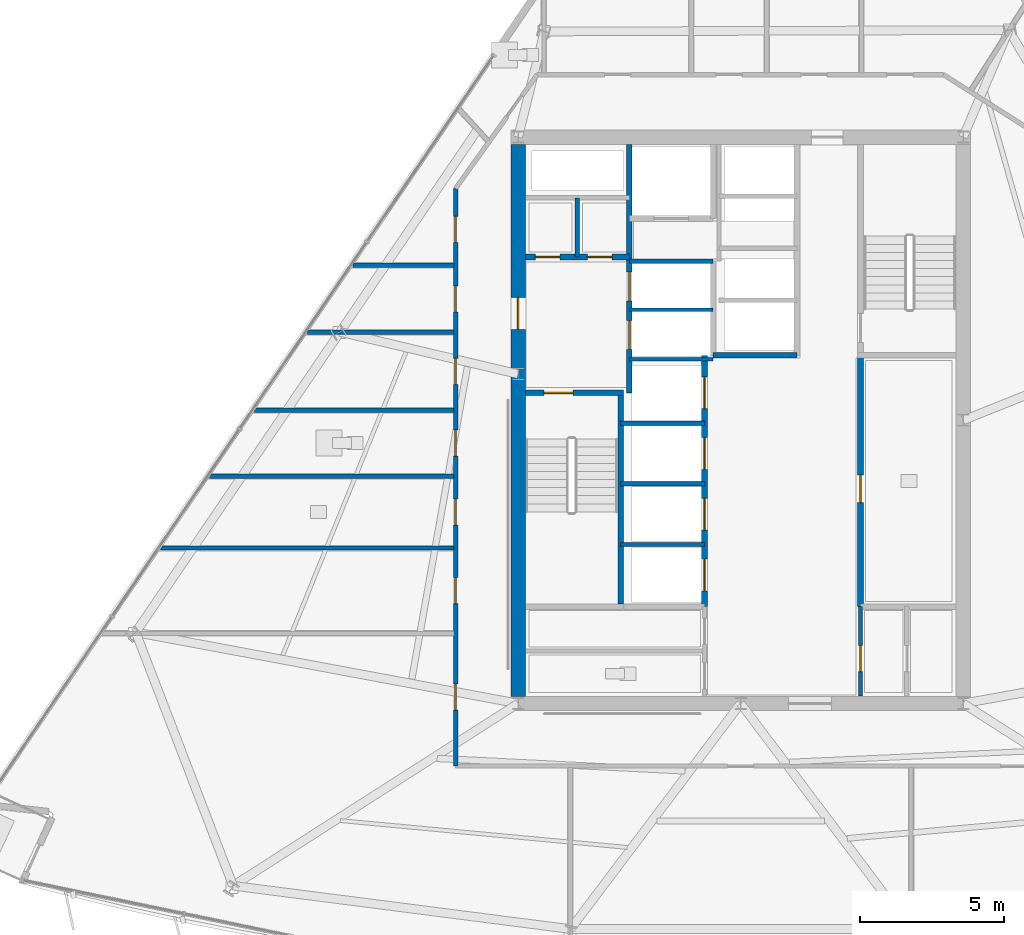
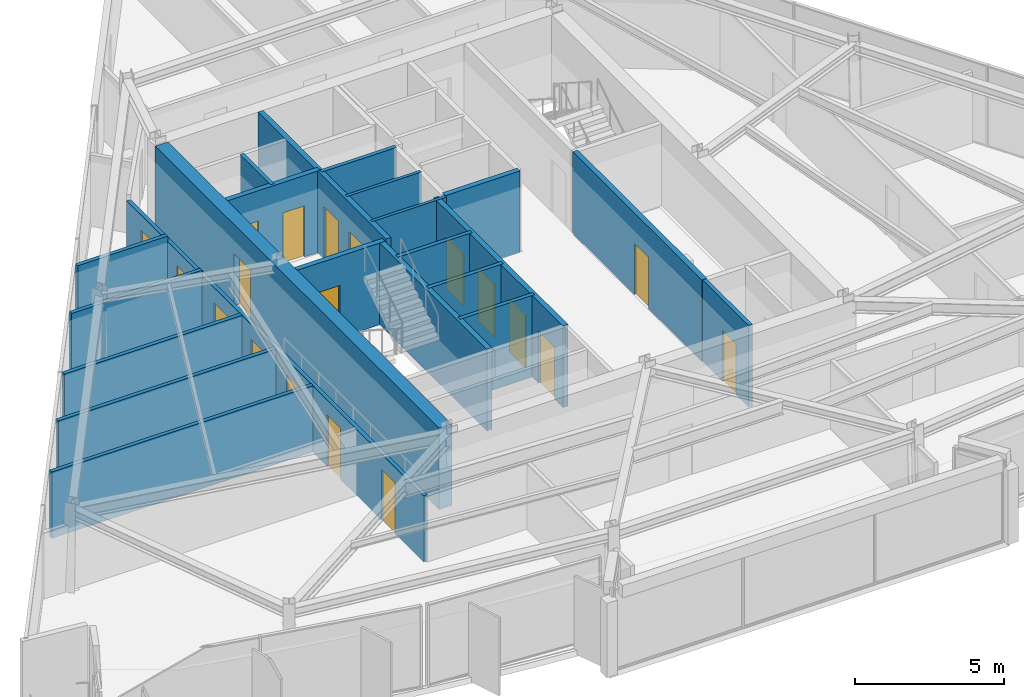
# One storey, part 8 of 15: 22 walls, 19 doors, 19 openings.
"""IFC4 building model written with IfcOpenShell, lengths in metres."""

from ifc_helpers import new_model, si_unit, direction, frame, frame_2d, origin, place, context, subcontext, project, spatial, rectangle, extrude, material, layer, layer_set, type_object, element, fill, save


model = new_model("IFC4")

# Units and contexts
model_context = context("Model", 3, precision=1e-05, world=origin(), true_north=direction((0.0, 1.0)))
body_context = subcontext(model_context, "Body", "Model", "MODEL_VIEW")
ifc_project = project(units=[si_unit("LENGTHUNIT", "METRE"), si_unit("AREAUNIT", "SQUARE_METRE"), si_unit("VOLUMEUNIT", "CUBIC_METRE"), si_unit("PLANEANGLEUNIT", "RADIAN"), si_unit("MASSUNIT", "GRAM", prefix="KILO")], contexts=[model_context])

# Site, building, storey
site_placement = place(None, origin())
site = spatial("IfcSite", under=ifc_project, at=site_placement, CompositionType="ELEMENT")
building_placement = place(site_placement, origin())
building = spatial("IfcBuilding", under=site, at=building_placement, Name="Savorim Split Tower", CompositionType="ELEMENT")
storey_placement = place(building_placement, frame((0.0, 0.0, 163.800048828125)))
storey = spatial("IfcBuildingStorey", under=building, at=storey_placement, Name="L43", CompositionType="ELEMENT", Elevation=163.800048828125)

# Wall, opening, door
ifc_material_1 = material(Name="Concrete C60/75", Category="concrete")
ifc_layer_1 = layer(ifc_material_1, 0.5)
ifc_layer_set_1 = layer_set([ifc_layer_1], Name="WAL-COR-SH500")
wall_type_1 = type_object("IfcWallType", Name="WAL-COR-SH500", PredefinedType="SHEAR", material=ifc_layer_set_1)
wall_1_placement = place(storey_placement, frame((-7.699951171875, -9.14990234375, 0.0), z_axis=(0.0, 0.0, 1.0), x_axis=(0.0, 1.0, 0.0)))
wall_1 = element("IfcWall", 1, at=wall_1_placement, inside=storey, type_object=wall_type_1, Name="L43 Offset Core West Shear Wall", PredefinedType="SHEAR", context=body_context, shape_type="SweptSolid", body=[
    extrude(rectangle(XDim=19.099853515625, YDim=0.5, at=frame_2d((9.5498046875, 0.0))), origin(), (0.0, 0.0, 1.0), 3.349853515625),
])
opening_1_placement = place(wall_1_placement, frame((12.699951171875, 0.0, 0.0)))
opening_1 = element("IfcOpeningElement", 2, at=opening_1_placement, cuts=wall_1, Name="Opening DI-03", PredefinedType="OPENING", context=body_context, shape_type="SweptSolid", body=[
    extrude(rectangle(XDim=1.10009765625, YDim=2.14990234375, at=frame_2d((0.550048828125, 1.074951171875))), frame((0.0, 0.260009765625, 0.0), z_axis=(0.0, -1.0, 0.0), x_axis=(1.0, 0.0, 0.0)), (0.0, 0.0, 1.0), 0.52001953125),
])
ifc_material_2 = material(Name="Timber Fire Door Leaf", Category="wood")
door_type_1 = type_object("IfcDoorType", Name="DOR-FIR-1100", OperationType="NOTDEFINED", PredefinedType="DOOR", material=ifc_material_2)
door_1_placement = place(opening_1_placement, origin())
door_1 = element("IfcDoor", 3, at=door_1_placement, inside=storey, type_object=door_type_1, Name="DOR-L43-COR-FFLOB - L43 Firefighting Lobby Corridor Door", OperationType="SINGLE_SWING_LEFT", OverallHeight=2.14990234375, OverallWidth=1.10009765625, PredefinedType="DOOR", context=body_context, shape_type="SweptSolid", body=[
    extrude(rectangle(XDim=1.10009765625, YDim=2.14990234375, at=frame_2d((0.550048828125, 1.074951171875))), frame((0.0, 0.02490234375, 0.0), z_axis=(0.0, -1.0, 0.0), x_axis=(1.0, 0.0, 0.0)), (0.0, 0.0, 1.0), 0.050048828125),
])
fill(opening_1, door_1)

ifc_material_3 = material(Name="Concrete C50/60", Category="concrete")
ifc_layer_2 = layer(ifc_material_3, 0.199951171875)
ifc_layer_set_2 = layer_set([ifc_layer_2], Name="WAL-INT-RC200")
wall_type_2 = type_object("IfcWallType", Name="WAL-INT-RC200", PredefinedType="SOLIDWALL", material=ifc_layer_set_2)
wall_2_placement = place(storey_placement, frame((-7.449951171875, 1.35009765625, 0.0), z_axis=(0.0, 0.0, 1.0), x_axis=(1.0, 0.0, 0.0)))
wall_2 = element("IfcWall", 4, at=wall_2_placement, inside=storey, type_object=wall_type_2, Name="L43 Structural Shaft Wall W-L43-CR01", PredefinedType="SOLIDWALL", context=body_context, shape_type="SweptSolid", body=[
    extrude(rectangle(XDim=3.39990234375, YDim=0.199951171875, at=frame_2d((1.699951171875, 0.0))), origin(), (0.0, 0.0, 1.0), 3.349853515625),
])
opening_2_placement = place(wall_2_placement, frame((0.64990234375, 0.0, 0.0)))
opening_2 = element("IfcOpeningElement", 5, at=opening_2_placement, cuts=wall_2, Name="Opening DI-04", PredefinedType="OPENING", context=body_context, shape_type="SweptSolid", body=[
    extrude(rectangle(XDim=1.0, YDim=2.14990234375, at=frame_2d((0.5, 1.074951171875))), frame((0.0, 0.10986328125, 0.0), z_axis=(0.0, -1.0, 0.0), x_axis=(1.0, 0.0, 0.0)), (0.0, 0.0, 1.0), 0.219970703125),
])
door_type_2 = type_object("IfcDoorType", Name="DOR-FIR-1000", OperationType="NOTDEFINED", PredefinedType="DOOR", material=ifc_material_2)
door_2_placement = place(opening_2_placement, origin())
door_2 = element("IfcDoor", 6, at=door_2_placement, inside=storey, type_object=door_type_2, Name="DR-L43-ST1 - L43 Stair ST-1 Enclosure Door", OperationType="SINGLE_SWING_LEFT", OverallHeight=2.14990234375, OverallWidth=1.0, PredefinedType="DOOR", context=body_context, shape_type="SweptSolid", body=[
    extrude(rectangle(XDim=1.0, YDim=2.14990234375, at=frame_2d((0.5, 1.074951171875))), frame((0.0, 0.02490234375, 0.0), z_axis=(0.0, -1.0, 0.0), x_axis=(1.0, 0.0, 0.0)), (0.0, 0.0, 1.0), 0.050048828125),
])
fill(opening_2, door_2)

# Wall
wall_3_placement = place(storey_placement, frame((-4.14990234375, -5.949951171875, 0.0), z_axis=(0.0, 0.0, 1.0), x_axis=(0.0, 1.0, 0.0)))
element("IfcWall", 7, at=wall_3_placement, inside=storey, type_object=wall_type_2, Name="L43 Structural Shaft Wall W-L43-CR02", PredefinedType="SOLIDWALL", context=body_context, shape_type="SweptSolid", body=[
    extrude(rectangle(XDim=7.199951171875, YDim=0.199951171875, at=frame_2d((3.60009765625, 0.0))), origin(), (0.0, 0.0, 1.0), 3.349853515625),
])

# Wall, openings, doors
wall_4_placement = place(storey_placement, frame((-3.85009765625, 1.35009765625, 0.0), z_axis=(0.0, 0.0, 1.0), x_axis=(0.0, 1.0, 0.0)))
wall_4 = element("IfcWall", 8, at=wall_4_placement, inside=storey, type_object=wall_type_2, Name="L43 Partition W-L43-CR03", PredefinedType="SOLIDWALL", context=body_context, shape_type="SweptSolid", body=[
    extrude(rectangle(XDim=8.594970703125, YDim=0.199951171875, at=frame_2d((4.29736328125, 0.0))), origin(), (0.0, 0.0, 1.0), 3.349853515625),
])
opening_3_placement = place(wall_4_placement, frame((1.5, 0.0, 0.0)))
opening_3 = element("IfcOpeningElement", 9, at=opening_3_placement, cuts=wall_4, Name="Opening LD-FFL", PredefinedType="OPENING", context=body_context, shape_type="SweptSolid", body=[
    extrude(rectangle(XDim=1.0, YDim=2.14990234375, at=frame_2d((0.5, 1.074951171875))), frame((0.0, 0.10986328125, 0.0), z_axis=(0.0, -1.0, 0.0), x_axis=(1.0, 0.0, 0.0)), (0.0, 0.0, 1.0), 0.219970703125),
])
opening_4_placement = place(wall_4_placement, frame((3.179931640625, 0.0, 0.0)))
opening_4 = element("IfcOpeningElement", 10, at=opening_4_placement, cuts=wall_4, Name="Opening LD-FFL", PredefinedType="OPENING", context=body_context, shape_type="SweptSolid", body=[
    extrude(rectangle(XDim=1.0, YDim=2.14990234375, at=frame_2d((0.5, 1.074951171875))), frame((0.0, 0.10986328125, 0.0), z_axis=(0.0, -1.0, 0.0), x_axis=(1.0, 0.0, 0.0)), (0.0, 0.0, 1.0), 0.219970703125),
])
ifc_material_4 = material(Name="Charcoal Anodised Aluminium", Category="aluminium")
door_type_3 = type_object("IfcDoorType", Name="DOR-SLD-LD1000", OperationType="NOTDEFINED", PredefinedType="DOOR", material=ifc_material_4)
door_3_placement = place(opening_3_placement, origin())
door_3 = element("IfcDoor", 11, at=door_3_placement, inside=storey, type_object=door_type_3, Name="DR-L43-LD-FFL1 - L43 Firefighting Lift FFL-1 Sliding Landing Door", OperationType="DOUBLE_DOOR_SLIDING", OverallHeight=2.14990234375, OverallWidth=1.0, PredefinedType="DOOR", context=body_context, shape_type="SweptSolid", body=[
    extrude(rectangle(XDim=1.0, YDim=2.14990234375, at=frame_2d((0.5, 1.074951171875))), frame((0.0, 0.02490234375, 0.0), z_axis=(0.0, -1.0, 0.0), x_axis=(1.0, 0.0, 0.0)), (0.0, 0.0, 1.0), 0.050048828125),
])
fill(opening_3, door_3)
door_4_placement = place(opening_4_placement, origin())
door_4 = element("IfcDoor", 12, at=door_4_placement, inside=storey, type_object=door_type_3, Name="DR-L43-LD-FFL2 - L43 Firefighting Lift FFL-2 Sliding Landing Door", OperationType="DOUBLE_DOOR_SLIDING", OverallHeight=2.14990234375, OverallWidth=1.0, PredefinedType="DOOR", context=body_context, shape_type="SweptSolid", body=[
    extrude(rectangle(XDim=1.0, YDim=2.14990234375, at=frame_2d((0.5, 1.074951171875))), frame((0.0, 0.02490234375, 0.0), z_axis=(0.0, -1.0, 0.0), x_axis=(1.0, 0.0, 0.0)), (0.0, 0.0, 1.0), 0.050048828125),
])
fill(opening_4, door_4)

wall_5_placement = place(storey_placement, frame((-7.445068359375, 6.050048828125, 0.0), z_axis=(0.0, 0.0, 1.0), x_axis=(1.0, 0.0, 0.0)))
wall_5 = element("IfcWall", 13, at=wall_5_placement, inside=storey, type_object=wall_type_2, Name="L43 Partition W-L43-CR04", PredefinedType="SOLIDWALL", context=body_context, shape_type="SweptSolid", body=[
    extrude(rectangle(XDim=3.594970703125, YDim=0.199951171875, at=frame_2d((1.79736328125, 0.0))), origin(), (0.0, 0.0, 1.0), 3.349853515625),
])
opening_5_placement = place(wall_5_placement, frame((0.344970703125, 0.0, 0.0)))
opening_5 = element("IfcOpeningElement", 14, at=opening_5_placement, cuts=wall_5, Name="Opening DI-12", PredefinedType="OPENING", context=body_context, shape_type="SweptSolid", body=[
    extrude(rectangle(XDim=0.85009765625, YDim=2.10009765625, at=frame_2d((0.425048828125, 1.050048828125))), frame((0.0, 0.10986328125, 0.0), z_axis=(0.0, -1.0, 0.0), x_axis=(1.0, 0.0, 0.0)), (0.0, 0.0, 1.0), 0.219970703125),
])
opening_6_placement = place(wall_5_placement, frame((2.14501953125, 0.0, 0.0)))
opening_6 = element("IfcOpeningElement", 15, at=opening_6_placement, cuts=wall_5, Name="Opening DI-12", PredefinedType="OPENING", context=body_context, shape_type="SweptSolid", body=[
    extrude(rectangle(XDim=0.85009765625, YDim=2.10009765625, at=frame_2d((0.425048828125, 1.050048828125))), frame((0.0, 0.10986328125, 0.0), z_axis=(0.0, -1.0, 0.0), x_axis=(1.0, 0.0, 0.0)), (0.0, 0.0, 1.0), 0.219970703125),
])
ifc_material_5 = material(Name="Galvanised Painted Steel Balustrade", Category="steel")
door_type_4 = type_object("IfcDoorType", Name="DOR-RIS-850", OperationType="NOTDEFINED", PredefinedType="DOOR", material=ifc_material_5)
door_5_placement = place(opening_5_placement, origin())
door_5 = element("IfcDoor", 16, at=door_5_placement, inside=storey, type_object=door_type_4, Name="DR-L43-ELR - L43 Electrical Riser Access Door", OperationType="SINGLE_SWING_RIGHT", OverallHeight=2.10009765625, OverallWidth=0.85009765625, PredefinedType="DOOR", context=body_context, shape_type="SweptSolid", body=[
    extrude(rectangle(XDim=0.85009765625, YDim=2.10009765625, at=frame_2d((0.425048828125, 1.050048828125))), frame((0.0, 0.02490234375, 0.0), z_axis=(0.0, -1.0, 0.0), x_axis=(1.0, 0.0, 0.0)), (0.0, 0.0, 1.0), 0.050048828125),
])
fill(opening_5, door_5)
door_6_placement = place(opening_6_placement, origin())
door_6 = element("IfcDoor", 17, at=door_6_placement, inside=storey, type_object=door_type_4, Name="DR-L43-TLR - L43 Telecom Riser Access Door", OperationType="SINGLE_SWING_LEFT", OverallHeight=2.10009765625, OverallWidth=0.85009765625, PredefinedType="DOOR", context=body_context, shape_type="SweptSolid", body=[
    extrude(rectangle(XDim=0.85009765625, YDim=2.10009765625, at=frame_2d((0.425048828125, 1.050048828125))), frame((0.0, 0.02490234375, 0.0), z_axis=(0.0, -1.0, 0.0), x_axis=(1.0, 0.0, 0.0)), (0.0, 0.0, 1.0), 0.050048828125),
])
fill(opening_6, door_6)

# Wall, opening, door
wall_6_placement = place(storey_placement, frame((4.14990234375, -6.050048828125, 0.0), z_axis=(0.0, 0.0, 1.0), x_axis=(0.0, 1.0, 0.0)))
wall_6 = element("IfcWall", 18, at=wall_6_placement, inside=storey, type_object=wall_type_2, Name="L43 Partition W-L43-B1FRONT", PredefinedType="SOLIDWALL", context=body_context, shape_type="SweptSolid", body=[
    extrude(rectangle(XDim=8.699951171875, YDim=0.199951171875, at=frame_2d((4.35009765625, 0.0))), origin(), (0.0, 0.0, 1.0), 3.349853515625),
])
opening_7_placement = place(wall_6_placement, frame((3.60009765625, 0.0, 0.0)))
opening_7 = element("IfcOpeningElement", 19, at=opening_7_placement, cuts=wall_6, Name="Opening DI-05", PredefinedType="OPENING", context=body_context, shape_type="SweptSolid", body=[
    extrude(rectangle(XDim=0.949951171875, YDim=2.10009765625, at=frame_2d((0.47509765625, 1.050048828125))), frame((0.0, 0.10986328125, 0.0), z_axis=(0.0, -1.0, 0.0), x_axis=(1.0, 0.0, 0.0)), (0.0, 0.0, 1.0), 0.219970703125),
])
door_type_5 = type_object("IfcDoorType", Name="DOR-FIR-950", OperationType="NOTDEFINED", PredefinedType="DOOR", material=ifc_material_2)
door_7_placement = place(opening_7_placement, origin())
door_7 = element("IfcDoor", 20, at=door_7_placement, inside=storey, type_object=door_type_5, Name="DR-L43-LV7B1 - L43 Community Laundry Room Door", OperationType="SINGLE_SWING_RIGHT", OverallHeight=2.10009765625, OverallWidth=0.949951171875, PredefinedType="DOOR", context=body_context, shape_type="SweptSolid", body=[
    extrude(rectangle(XDim=0.949951171875, YDim=2.10009765625, at=frame_2d((0.47509765625, 1.050048828125))), frame((0.0, 0.02490234375, 0.0), z_axis=(0.0, -1.0, 0.0), x_axis=(1.0, 0.0, 0.0)), (0.0, 0.0, 1.0), 0.050048828125),
])
fill(opening_7, door_7)

# Wall, openings, doors
wall_7_placement = place(storey_placement, frame((-1.25, -6.050048828125, 0.0), z_axis=(0.0, 0.0, 1.0), x_axis=(0.0, 1.0, 0.0)))
wall_7 = element("IfcWall", 21, at=wall_7_placement, inside=storey, type_object=wall_type_2, Name="L43 Partition W-L43-B2FRONT", PredefinedType="SOLIDWALL", context=body_context, shape_type="SweptSolid", body=[
    extrude(rectangle(XDim=8.699951171875, YDim=0.199951171875, at=frame_2d((4.35009765625, 0.0))), origin(), (0.0, 0.0, 1.0), 3.349853515625),
])
opening_8_placement = place(wall_7_placement, frame((0.550048828125, 0.0, 0.0)))
opening_8 = element("IfcOpeningElement", 22, at=opening_8_placement, cuts=wall_7, Name="Opening LD-02", PredefinedType="OPENING", context=body_context, shape_type="SweptSolid", body=[
    extrude(rectangle(XDim=1.10009765625, YDim=2.14990234375, at=frame_2d((0.550048828125, 1.074951171875))), frame((0.0, 0.10986328125, 0.0), z_axis=(0.0, -1.0, 0.0), x_axis=(1.0, 0.0, 0.0)), (0.0, 0.0, 1.0), 0.219970703125),
])
opening_9_placement = place(wall_7_placement, frame((2.64990234375, 0.0, 0.0)))
opening_9 = element("IfcOpeningElement", 23, at=opening_9_placement, cuts=wall_7, Name="Opening LD-02", PredefinedType="OPENING", context=body_context, shape_type="SweptSolid", body=[
    extrude(rectangle(XDim=1.10009765625, YDim=2.14990234375, at=frame_2d((0.550048828125, 1.074951171875))), frame((0.0, 0.10986328125, 0.0), z_axis=(0.0, -1.0, 0.0), x_axis=(1.0, 0.0, 0.0)), (0.0, 0.0, 1.0), 0.219970703125),
])
opening_10_placement = place(wall_7_placement, frame((4.75, 0.0, 0.0)))
opening_10 = element("IfcOpeningElement", 24, at=opening_10_placement, cuts=wall_7, Name="Opening LD-02", PredefinedType="OPENING", context=body_context, shape_type="SweptSolid", body=[
    extrude(rectangle(XDim=1.10009765625, YDim=2.14990234375, at=frame_2d((0.550048828125, 1.074951171875))), frame((0.0, 0.10986328125, 0.0), z_axis=(0.0, -1.0, 0.0), x_axis=(1.0, 0.0, 0.0)), (0.0, 0.0, 1.0), 0.219970703125),
])
opening_11_placement = place(wall_7_placement, frame((6.85009765625, 0.0, 0.0)))
opening_11 = element("IfcOpeningElement", 25, at=opening_11_placement, cuts=wall_7, Name="Opening LD-02", PredefinedType="OPENING", context=body_context, shape_type="SweptSolid", body=[
    extrude(rectangle(XDim=1.10009765625, YDim=2.14990234375, at=frame_2d((0.550048828125, 1.074951171875))), frame((0.0, 0.10986328125, 0.0), z_axis=(0.0, -1.0, 0.0), x_axis=(1.0, 0.0, 0.0)), (0.0, 0.0, 1.0), 0.219970703125),
])
door_type_6 = type_object("IfcDoorType", Name="DOR-SLD-LDM1100", OperationType="NOTDEFINED", PredefinedType="DOOR", material=ifc_material_4)
door_8_placement = place(opening_8_placement, origin())
door_8 = element("IfcDoor", 26, at=door_8_placement, inside=storey, type_object=door_type_6, Name="DR-L43-LD-PLM1 - L43 Lift PL-M1 Sliding Landing Door", OperationType="DOUBLE_DOOR_SLIDING", OverallHeight=2.14990234375, OverallWidth=1.10009765625, PredefinedType="DOOR", context=body_context, shape_type="SweptSolid", body=[
    extrude(rectangle(XDim=1.10009765625, YDim=2.14990234375, at=frame_2d((0.550048828125, 1.074951171875))), frame((0.0, 0.02490234375, 0.0), z_axis=(0.0, -1.0, 0.0), x_axis=(1.0, 0.0, 0.0)), (0.0, 0.0, 1.0), 0.050048828125),
])
fill(opening_8, door_8)
door_9_placement = place(opening_9_placement, origin())
door_9 = element("IfcDoor", 27, at=door_9_placement, inside=storey, type_object=door_type_6, Name="DR-L43-LD-PLM2 - L43 Lift PL-M2 Sliding Landing Door", OperationType="DOUBLE_DOOR_SLIDING", OverallHeight=2.14990234375, OverallWidth=1.10009765625, PredefinedType="DOOR", context=body_context, shape_type="SweptSolid", body=[
    extrude(rectangle(XDim=1.10009765625, YDim=2.14990234375, at=frame_2d((0.550048828125, 1.074951171875))), frame((0.0, 0.02490234375, 0.0), z_axis=(0.0, -1.0, 0.0), x_axis=(1.0, 0.0, 0.0)), (0.0, 0.0, 1.0), 0.050048828125),
])
fill(opening_9, door_9)
door_10_placement = place(opening_10_placement, origin())
door_10 = element("IfcDoor", 28, at=door_10_placement, inside=storey, type_object=door_type_6, Name="DR-L43-LD-PLM3 - L43 Lift PL-M3 Sliding Landing Door", OperationType="DOUBLE_DOOR_SLIDING", OverallHeight=2.14990234375, OverallWidth=1.10009765625, PredefinedType="DOOR", context=body_context, shape_type="SweptSolid", body=[
    extrude(rectangle(XDim=1.10009765625, YDim=2.14990234375, at=frame_2d((0.550048828125, 1.074951171875))), frame((0.0, 0.02490234375, 0.0), z_axis=(0.0, -1.0, 0.0), x_axis=(1.0, 0.0, 0.0)), (0.0, 0.0, 1.0), 0.050048828125),
])
fill(opening_10, door_10)
door_11_placement = place(opening_11_placement, origin())
door_11 = element("IfcDoor", 29, at=door_11_placement, inside=storey, type_object=door_type_6, Name="DR-L43-LD-PLM4 - L43 Lift PL-M4 Sliding Landing Door", OperationType="DOUBLE_DOOR_SLIDING", OverallHeight=2.14990234375, OverallWidth=1.10009765625, PredefinedType="DOOR", context=body_context, shape_type="SweptSolid", body=[
    extrude(rectangle(XDim=1.10009765625, YDim=2.14990234375, at=frame_2d((0.550048828125, 1.074951171875))), frame((0.0, 0.02490234375, 0.0), z_axis=(0.0, -1.0, 0.0), x_axis=(1.0, 0.0, 0.0)), (0.0, 0.0, 1.0), 0.050048828125),
])
fill(opening_11, door_11)

# Walls
wall_8_placement = place(storey_placement, frame((-0.949951171875, 2.64990234375, 0.0), z_axis=(0.0, 0.0, 1.0), x_axis=(1.0, 0.0, 0.0)))
element("IfcWall", 30, at=wall_8_placement, inside=storey, type_object=wall_type_2, Name="L43 Partition W-L43-B3SOUTH", PredefinedType="SOLIDWALL", context=body_context, shape_type="SweptSolid", body=[
    extrude(rectangle(XDim=2.89990234375, YDim=0.199951171875, at=frame_2d((1.449951171875, 0.0))), origin(), (0.0, 0.0, 1.0), 3.349853515625),
])
ifc_material_6 = material(Name="Acoustic Gypsum Partition Board")
ifc_layer_3 = layer(ifc_material_6, 0.1201171875)
ifc_layer_set_3 = layer_set([ifc_layer_3], Name="WAL-PAR-120")
wall_type_3 = type_object("IfcWallType", Name="WAL-PAR-120", PredefinedType="PARTITIONING", material=ifc_layer_set_3)
for number, where, z_axis, x_axis, name in (
    (31, (-3.85009765625, 2.52001953125, 0.0), (0.0, 0.0, 1.0), (1.0, 0.0, 0.0), "L43 Partition W-L43-FFLD0"),
    (32, (-3.85009765625, 4.219970703125, 0.0), (0.0, 0.0, 1.0), (1.0, 0.0, 0.0), "L43 Partition W-L43-FFLD1"),
):
    element("IfcWall", number, at=place(storey_placement, frame(where, z_axis=z_axis, x_axis=x_axis)), inside=storey, type_object=wall_type_3, Name=name, PredefinedType="PARTITIONING", context=body_context, shape_type="SweptSolid", body=[
        extrude(rectangle(XDim=2.900146484375, YDim=0.1201171875, at=frame_2d((1.4501953125, 0.0))), origin(), (0.0, 0.0, 1.0), 3.349853515625),
    ])
ifc_layer_4 = layer(ifc_material_6, 0.14990234375)
ifc_layer_set_4 = layer_set([ifc_layer_4], Name="WAL-PAR-150")
wall_type_4 = type_object("IfcWallType", Name="WAL-PAR-150", PredefinedType="PARTITIONING", material=ifc_layer_set_4)
wall_9_placement = place(storey_placement, frame((-5.64990234375, 6.050048828125, 0.0), z_axis=(0.0, 0.0, 1.0), x_axis=(0.0, 1.0, 0.0)))
element("IfcWall", 33, at=wall_9_placement, inside=storey, type_object=wall_type_4, Name="L43 Partition W-L43-CR06", PredefinedType="PARTITIONING", context=body_context, shape_type="SweptSolid", body=[
    extrude(rectangle(XDim=2.050048828125, YDim=0.14990234375, at=frame_2d((1.02490234375, 0.0))), origin(), (0.0, 0.0, 1.0), 3.349853515625),
])
wall_10_placement = place(storey_placement, frame((-3.85009765625, 5.89990234375, 0.0), z_axis=(0.0, 0.0, 1.0), x_axis=(1.0, 0.0, 0.0)))
element("IfcWall", 34, at=wall_10_placement, inside=storey, type_object=wall_type_4, Name="L43 Partition W-L43-FFLD2", PredefinedType="PARTITIONING", context=body_context, shape_type="SweptSolid", body=[
    extrude(rectangle(XDim=2.900146484375, YDim=0.14990234375, at=frame_2d((1.4501953125, 0.0))), origin(), (0.0, 0.0, 1.0), 3.349853515625),
])
for number, where, z_axis, x_axis, name in (
    (35, (-4.14990234375, -3.89990234375, 0.0), (0.0, 0.0, 1.0), (1.0, 0.0, 0.0), "L43 Partition W-L43-B2DIV1"),
    (36, (-4.14990234375, -1.800048828125, 0.0), (0.0, 0.0, 1.0), (1.0, 0.0, 0.0), "L43 Partition W-L43-B2DIV2"),
    (37, (-4.14990234375, 0.300048828125, 0.0), (0.0, 0.0, 1.0), (1.0, 0.0, 0.0), "L43 Partition W-L43-B2DIV3"),
):
    element("IfcWall", number, at=place(storey_placement, frame(where, z_axis=z_axis, x_axis=x_axis)), inside=storey, type_object=wall_type_4, Name=name, PredefinedType="PARTITIONING", context=body_context, shape_type="SweptSolid", body=[
        extrude(rectangle(XDim=2.89990234375, YDim=0.14990234375, at=frame_2d((1.449951171875, 0.0))), origin(), (0.0, 0.0, 1.0), 3.349853515625),
    ])

# Wall, opening, door
wall_11_placement = place(storey_placement, frame((4.14990234375, -9.14501953125, 0.0), z_axis=(0.0, 0.0, 1.0), x_axis=(0.0, 1.0, 0.0)))
wall_11 = element("IfcWall", 38, at=wall_11_placement, inside=storey, type_object=wall_type_4, Name="L43 Partition W-L43-KLOB-E", PredefinedType="PARTITIONING", context=body_context, shape_type="SweptSolid", body=[
    extrude(rectangle(XDim=3.094970703125, YDim=0.14990234375, at=frame_2d((1.54736328125, 0.0))), origin(), (0.0, 0.0, 1.0), 3.349853515625),
])
opening_12_placement = place(wall_11_placement, frame((0.844970703125, 0.0, 0.0)))
opening_12 = element("IfcOpeningElement", 39, at=opening_12_placement, cuts=wall_11, Name="Opening DI-06", PredefinedType="OPENING", context=body_context, shape_type="SweptSolid", body=[
    extrude(rectangle(XDim=0.89990234375, YDim=2.10009765625, at=frame_2d((0.449951171875, 1.050048828125))), frame((0.0, 0.0849609375, 0.0), z_axis=(0.0, -1.0, 0.0), x_axis=(1.0, 0.0, 0.0)), (0.0, 0.0, 1.0), 0.169921875),
])
door_type_7 = type_object("IfcDoorType", Name="DOR-FIR-900", OperationType="NOTDEFINED", PredefinedType="DOOR", material=ifc_material_2)
door_12_placement = place(opening_12_placement, origin())
door_12 = element("IfcDoor", 40, at=door_12_placement, inside=storey, type_object=door_type_7, Name="DR-L43-K2PAN - L43 Vending Pantry Door", OperationType="SINGLE_SWING_LEFT", OverallHeight=2.10009765625, OverallWidth=0.89990234375, PredefinedType="DOOR", context=body_context, shape_type="SweptSolid", body=[
    extrude(rectangle(XDim=0.89990234375, YDim=2.10009765625, at=frame_2d((0.449951171875, 1.050048828125))), frame((0.0, 0.02490234375, 0.0), z_axis=(0.0, -1.0, 0.0), x_axis=(1.0, 0.0, 0.0)), (0.0, 0.0, 1.0), 0.050048828125),
])
fill(opening_12, door_12)

# Wall, openings, doors
wall_12_placement = place(storey_placement, frame((-9.860107421875, -11.56005859375, 0.0), z_axis=(0.0, 0.0, 1.0), x_axis=(0.0, 1.0, 0.0)))
wall_12 = element("IfcWall", 41, at=wall_12_placement, inside=storey, type_object=wall_type_4, Name="L43 Partition W-L43-COR-01", PredefinedType="PARTITIONING", context=body_context, shape_type="SweptSolid", body=[
    extrude(rectangle(XDim=19.98583984375, YDim=0.14990234375, at=frame_2d((9.992919921875, 0.0))), origin(), (0.0, 0.0, 1.0), 2.724853515625),
])
opening_13_placement = place(wall_12_placement, frame((10.71728515625, 0.0, 0.0)))
opening_13 = element("IfcOpeningElement", 42, at=opening_13_placement, cuts=wall_12, Name="Opening DI-11", PredefinedType="OPENING", context=body_context, shape_type="SweptSolid", body=[
    extrude(rectangle(XDim=0.89990234375, YDim=2.10009765625, at=frame_2d((0.449951171875, 1.050048828125))), frame((0.0, 0.0849609375, 0.0), z_axis=(0.0, -1.0, 0.0), x_axis=(1.0, 0.0, 0.0)), (0.0, 0.0, 1.0), 0.169921875),
])
opening_14_placement = place(wall_12_placement, frame((8.33349609375, 0.0, 0.0)))
opening_14 = element("IfcOpeningElement", 43, at=opening_14_placement, cuts=wall_12, Name="Opening DI-06", PredefinedType="OPENING", context=body_context, shape_type="SweptSolid", body=[
    extrude(rectangle(XDim=0.89990234375, YDim=2.10009765625, at=frame_2d((0.449951171875, 1.050048828125))), frame((0.0, 0.0849609375, 0.0), z_axis=(0.0, -1.0, 0.0), x_axis=(1.0, 0.0, 0.0)), (0.0, 0.0, 1.0), 0.169921875),
])
opening_15_placement = place(wall_12_placement, frame((5.6123046875, 0.0, 0.0)))
opening_15 = element("IfcOpeningElement", 44, at=opening_15_placement, cuts=wall_12, Name="Opening DI-06", PredefinedType="OPENING", context=body_context, shape_type="SweptSolid", body=[
    extrude(rectangle(XDim=0.89990234375, YDim=2.10009765625, at=frame_2d((0.449951171875, 1.050048828125))), frame((0.0, 0.0849609375, 0.0), z_axis=(0.0, -1.0, 0.0), x_axis=(1.0, 0.0, 0.0)), (0.0, 0.0, 1.0), 0.169921875),
])
opening_16_placement = place(wall_12_placement, frame((1.931640625, 0.0, 0.0)))
opening_16 = element("IfcOpeningElement", 45, at=opening_16_placement, cuts=wall_12, Name="Opening DI-06", PredefinedType="OPENING", context=body_context, shape_type="SweptSolid", body=[
    extrude(rectangle(XDim=0.89990234375, YDim=2.10009765625, at=frame_2d((0.449951171875, 1.050048828125))), frame((0.0, 0.0849609375, 0.0), z_axis=(0.0, -1.0, 0.0), x_axis=(1.0, 0.0, 0.0)), (0.0, 0.0, 1.0), 0.169921875),
])
opening_17_placement = place(wall_12_placement, frame((18.114501953125, 0.0, 0.0)))
opening_17 = element("IfcOpeningElement", 46, at=opening_17_placement, cuts=wall_12, Name="Opening DI-06", PredefinedType="OPENING", context=body_context, shape_type="SweptSolid", body=[
    extrude(rectangle(XDim=0.89990234375, YDim=2.10009765625, at=frame_2d((0.449951171875, 1.050048828125))), frame((0.0, 0.0849609375, 0.0), z_axis=(0.0, -1.0, 0.0), x_axis=(1.0, 0.0, 0.0)), (0.0, 0.0, 1.0), 0.169921875),
])
opening_18_placement = place(wall_12_placement, frame((15.71142578125, 0.0, 0.0)))
opening_18 = element("IfcOpeningElement", 47, at=opening_18_placement, cuts=wall_12, Name="Opening DI-06", PredefinedType="OPENING", context=body_context, shape_type="SweptSolid", body=[
    extrude(rectangle(XDim=0.89990234375, YDim=2.10009765625, at=frame_2d((0.449951171875, 1.050048828125))), frame((0.0, 0.0849609375, 0.0), z_axis=(0.0, -1.0, 0.0), x_axis=(1.0, 0.0, 0.0)), (0.0, 0.0, 1.0), 0.169921875),
])
opening_19_placement = place(wall_12_placement, frame((13.20458984375, 0.0, 0.0)))
opening_19 = element("IfcOpeningElement", 48, at=opening_19_placement, cuts=wall_12, Name="Opening DI-06", PredefinedType="OPENING", context=body_context, shape_type="SweptSolid", body=[
    extrude(rectangle(XDim=0.89990234375, YDim=2.10009765625, at=frame_2d((0.449951171875, 1.050048828125))), frame((0.0, 0.0849609375, 0.0), z_axis=(0.0, -1.0, 0.0), x_axis=(1.0, 0.0, 0.0)), (0.0, 0.0, 1.0), 0.169921875),
])
door_13_placement = place(opening_14_placement, origin())
door_13 = element("IfcDoor", 49, at=door_13_placement, inside=storey, type_object=door_type_7, Name="DR-L43-RM02 - L43 Shared Kitchen Entry Door", OperationType="SINGLE_SWING_LEFT", OverallHeight=2.10009765625, OverallWidth=0.89990234375, PredefinedType="DOOR", context=body_context, shape_type="SweptSolid", body=[
    extrude(rectangle(XDim=0.89990234375, YDim=2.10009765625, at=frame_2d((0.449951171875, 1.050048828125))), frame((0.0, 0.02490234375, 0.0), z_axis=(0.0, -1.0, 0.0), x_axis=(1.0, 0.0, 0.0)), (0.0, 0.0, 1.0), 0.050048828125),
])
fill(opening_14, door_13)
door_14_placement = place(opening_15_placement, origin())
door_14 = element("IfcDoor", 50, at=door_14_placement, inside=storey, type_object=door_type_7, Name="DR-L43-RM03 - L43 Maker Workshop Entry Door", OperationType="SINGLE_SWING_RIGHT", OverallHeight=2.10009765625, OverallWidth=0.89990234375, PredefinedType="DOOR", context=body_context, shape_type="SweptSolid", body=[
    extrude(rectangle(XDim=0.89990234375, YDim=2.10009765625, at=frame_2d((0.449951171875, 1.050048828125))), frame((0.0, 0.02490234375, 0.0), z_axis=(0.0, -1.0, 0.0), x_axis=(1.0, 0.0, 0.0)), (0.0, 0.0, 1.0), 0.050048828125),
])
fill(opening_15, door_14)
door_15_placement = place(opening_16_placement, origin())
door_15 = element("IfcDoor", 51, at=door_15_placement, inside=storey, type_object=door_type_7, Name="DR-L43-RM04 - L43 Co-Working Commons Entry Door", OperationType="SINGLE_SWING_LEFT", OverallHeight=2.10009765625, OverallWidth=0.89990234375, PredefinedType="DOOR", context=body_context, shape_type="SweptSolid", body=[
    extrude(rectangle(XDim=0.89990234375, YDim=2.10009765625, at=frame_2d((0.449951171875, 1.050048828125))), frame((0.0, 0.02490234375, 0.0), z_axis=(0.0, -1.0, 0.0), x_axis=(1.0, 0.0, 0.0)), (0.0, 0.0, 1.0), 0.050048828125),
])
fill(opening_16, door_15)
door_16_placement = place(opening_17_placement, origin())
door_16 = element("IfcDoor", 52, at=door_16_placement, inside=storey, type_object=door_type_7, Name="DR-L43-RM15 - L43 Co-Living Bedroom Entry Door", OperationType="SINGLE_SWING_RIGHT", OverallHeight=2.10009765625, OverallWidth=0.89990234375, PredefinedType="DOOR", context=body_context, shape_type="SweptSolid", body=[
    extrude(rectangle(XDim=0.89990234375, YDim=2.10009765625, at=frame_2d((0.449951171875, 1.050048828125))), frame((0.0, 0.02490234375, 0.0), z_axis=(0.0, -1.0, 0.0), x_axis=(1.0, 0.0, 0.0)), (0.0, 0.0, 1.0), 0.050048828125),
])
fill(opening_17, door_16)
door_17_placement = place(opening_18_placement, origin())
door_17 = element("IfcDoor", 53, at=door_17_placement, inside=storey, type_object=door_type_7, Name="DR-L43-RM16 - L43 Quiet Study Room Entry Door", OperationType="SINGLE_SWING_LEFT", OverallHeight=2.10009765625, OverallWidth=0.89990234375, PredefinedType="DOOR", context=body_context, shape_type="SweptSolid", body=[
    extrude(rectangle(XDim=0.89990234375, YDim=2.10009765625, at=frame_2d((0.449951171875, 1.050048828125))), frame((0.0, 0.02490234375, 0.0), z_axis=(0.0, -1.0, 0.0), x_axis=(1.0, 0.0, 0.0)), (0.0, 0.0, 1.0), 0.050048828125),
])
fill(opening_18, door_17)
door_18_placement = place(opening_19_placement, origin())
door_18 = element("IfcDoor", 54, at=door_18_placement, inside=storey, type_object=door_type_7, Name="DR-L43-RM17 - L43 Quiet Study Room Entry Door", OperationType="SINGLE_SWING_RIGHT", OverallHeight=2.10009765625, OverallWidth=0.89990234375, PredefinedType="DOOR", context=body_context, shape_type="SweptSolid", body=[
    extrude(rectangle(XDim=0.89990234375, YDim=2.10009765625, at=frame_2d((0.449951171875, 1.050048828125))), frame((0.0, 0.02490234375, 0.0), z_axis=(0.0, -1.0, 0.0), x_axis=(1.0, 0.0, 0.0)), (0.0, 0.0, 1.0), 0.050048828125),
])
fill(opening_19, door_18)
ifc_material_7 = material(Name="Oak Veneer Acoustic Door")
door_type_8 = type_object("IfcDoorType", Name="DOR-WC-900", OperationType="NOTDEFINED", PredefinedType="DOOR", material=ifc_material_7)
door_19_placement = place(opening_13_placement, origin())
door_19 = element("IfcDoor", 55, at=door_19_placement, inside=storey, type_object=door_type_8, Name="DR-L43-RM01 - L43 Shared Bathroom Entry Door", OperationType="SINGLE_SWING_RIGHT", OverallHeight=2.10009765625, OverallWidth=0.89990234375, PredefinedType="DOOR", context=body_context, shape_type="SweptSolid", body=[
    extrude(rectangle(XDim=0.89990234375, YDim=2.10009765625, at=frame_2d((0.449951171875, 1.050048828125))), frame((0.0, 0.02490234375, 0.0), z_axis=(0.0, -1.0, 0.0), x_axis=(1.0, 0.0, 0.0)), (0.0, 0.0, 1.0), 0.050048828125),
])
fill(opening_13, door_19)

# Walls
wall_13_placement = place(storey_placement, frame((-9.919921875, 3.441650390625, 0.0), z_axis=(0.0, 0.0, 1.0), x_axis=(-1.0, 0.0, 0.0)))
element("IfcWall", 56, at=wall_13_placement, inside=storey, type_object=wall_type_4, Name="L43 Partition W-L43-PRAD09", PredefinedType="PARTITIONING", context=body_context, shape_type="SweptSolid", body=[
    extrude(rectangle(XDim=5.075439453125, YDim=0.14990234375, at=frame_2d((2.53759765625, 0.0))), origin(), (0.0, 0.0, 1.0), 2.93505859375),
])
wall_14_placement = place(storey_placement, frame((-9.919921875, -1.53271484375, 0.0), z_axis=(0.0, 0.0, 1.0), x_axis=(-1.0, 0.0, 0.0)))
element("IfcWall", 57, at=wall_14_placement, inside=storey, type_object=wall_type_4, Name="L43 Partition W-L43-SUB01", PredefinedType="PARTITIONING", context=body_context, shape_type="SweptSolid", body=[
    extrude(rectangle(XDim=8.45947265625, YDim=0.14990234375, at=frame_2d((4.229736328125, 0.0))), origin(), (0.0, 0.0, 1.0), 2.724853515625),
])
wall_15_placement = place(storey_placement, frame((-9.919921875, -4.02001953125, 0.0), z_axis=(0.0, 0.0, 1.0), x_axis=(-1.0, 0.0, 0.0)))
element("IfcWall", 58, at=wall_15_placement, inside=storey, type_object=wall_type_4, Name="L43 Partition W-L43-SUB04", PredefinedType="PARTITIONING", context=body_context, shape_type="SweptSolid", body=[
    extrude(rectangle(XDim=10.1513671875, YDim=0.14990234375, at=frame_2d((5.07568359375, 0.0))), origin(), (0.0, 0.0, 1.0), 2.724853515625),
])
wall_16_placement = place(storey_placement, frame((-9.919921875, 5.76123046875, 0.0), z_axis=(0.0, 0.0, 1.0), x_axis=(-1.0, 0.0, 0.0)))
element("IfcWall", 59, at=wall_16_placement, inside=storey, type_object=wall_type_4, Name="L43 Partition W-L43-SUB08", PredefinedType="PARTITIONING", context=body_context, shape_type="SweptSolid", body=[
    extrude(rectangle(XDim=3.497314453125, YDim=0.14990234375, at=frame_2d((1.74853515625, 0.0))), origin(), (0.0, 0.0, 1.0), 2.93505859375),
])
wall_17_placement = place(storey_placement, frame((-9.919921875, 0.747314453125, 0.0), z_axis=(0.0, 0.0, 1.0), x_axis=(-1.0, 0.0, 0.0)))
element("IfcWall", 60, at=wall_17_placement, inside=storey, type_object=wall_type_4, Name="L43 Partition W-L43-SUB09", PredefinedType="PARTITIONING", context=body_context, shape_type="SweptSolid", body=[
    extrude(rectangle(XDim=6.908203125, YDim=0.14990234375, at=frame_2d((3.4541015625, 0.0))), origin(), (0.0, 0.0, 1.0), 2.724853515625),
])

save(model, "model.ifc")
